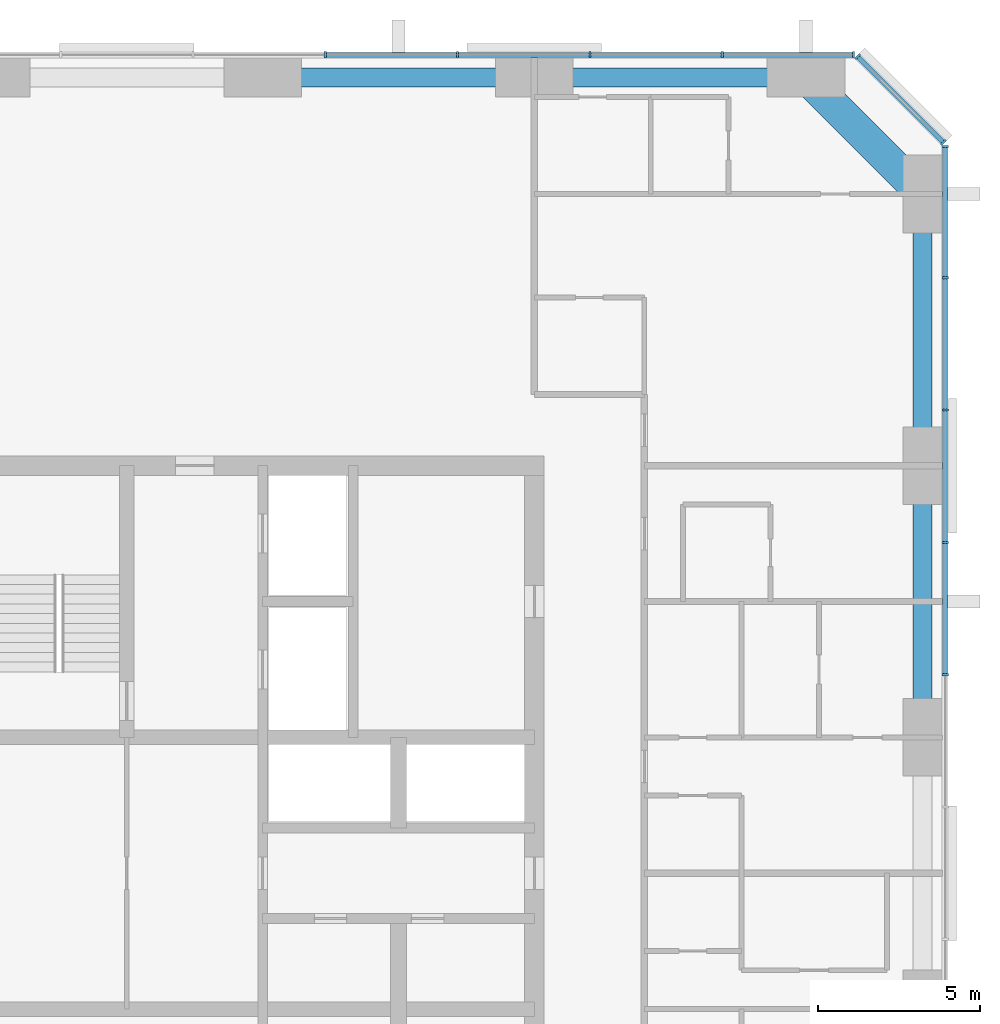
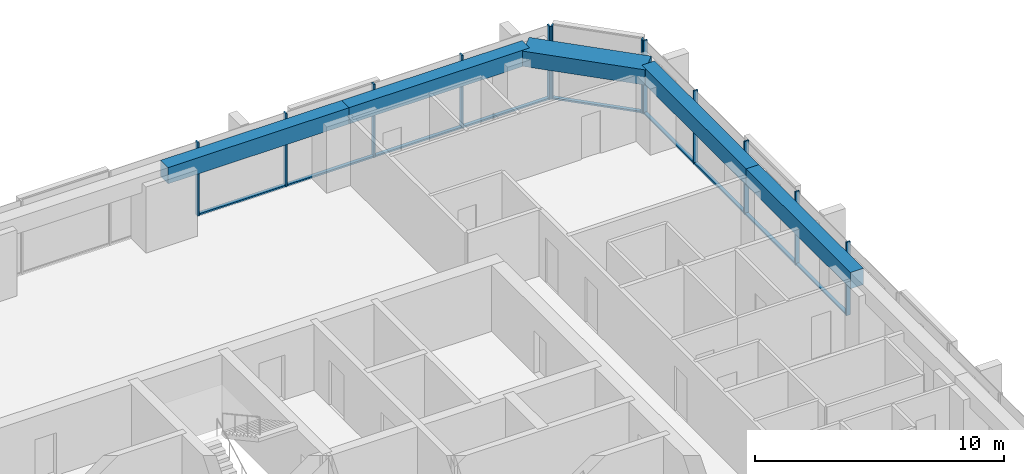
# One storey, part 6 of 13: 21 members, 5 beams, 3 elements without a shape of their own.
"""IFC4 building model written with IfcOpenShell, lengths in metres."""

from ifc_helpers import new_model, si_unit, direction, frame, origin, origin_2d, place, context, subcontext, project, spatial, rectangle, extrude, material, material_profile, profile_set, type_object, element, aggregate, save


model = new_model("IFC4")

# Units and contexts
model_context = context("Model", 3, precision=1e-05, world=origin(), true_north=direction((0.0, 1.0)))
body_context = subcontext(model_context, "Body", "Model", "MODEL_VIEW")
ifc_project = project(units=[si_unit("LENGTHUNIT", "METRE"), si_unit("AREAUNIT", "SQUARE_METRE"), si_unit("VOLUMEUNIT", "CUBIC_METRE"), si_unit("PLANEANGLEUNIT", "RADIAN"), si_unit("MASSUNIT", "GRAM", prefix="KILO")], contexts=[model_context])

# Site, building, storey
site_placement = place(None, origin())
site = spatial("IfcSite", under=ifc_project, at=site_placement, CompositionType="ELEMENT")
building_placement = place(site_placement, origin())
building = spatial("IfcBuilding", under=site, at=building_placement, Name="Dunama Terrace Hotel", CompositionType="ELEMENT")
storey_placement = place(building_placement, frame((0.0, 0.0, 191.39990234375)))
storey = spatial("IfcBuildingStorey", under=building, at=storey_placement, Name="L49", CompositionType="ELEMENT", Elevation=191.39990234375)

# Curtain wall, members
ifc_material_1 = material(Name="Aluminium curtain wall system", Category="aluminium")
curtain_wall_type = type_object("IfcCurtainWallType", Name="Unitised fritted glass wall CW-C", PredefinedType="NOTDEFINED", material=ifc_material_1)
curtain_wall_1_placement = place(storey_placement, origin())
curtain_wall_1 = element("IfcCurtainWall", 1, at=curtain_wall_1_placement, inside=storey, type_object=curtain_wall_type, Name="Unitised fritted glass wall CW-C L49", PredefinedType="NOTDEFINED")
ifc_material_2 = material(Name="Aluminium mullion", Category="aluminium")
ifc_material_profile_1 = material_profile(ifc_material_2, rectangle(XDim=0.070068359375, YDim=0.199951171875, at=origin_2d()), Name="CWC MULLION 70X200")
ifc_profile_set_1 = profile_set([ifc_material_profile_1], Name="Aluminium mullion")
member_type_1 = type_object("IfcMemberType", Name="CWC mullion 70x200", PredefinedType="MULLION", material=ifc_profile_set_1)
member_1_placement = place(storey_placement, frame((54.699951171875, 35.535888671875, 0.0), z_axis=(0.0, 0.0, 1.0), x_axis=(0.0, 1.0, 0.0)))
member_1 = element("IfcMember", 2, at=member_1_placement, type_object=member_type_1, Name="CWC mullion", PredefinedType="MULLION", context=body_context, shape_type="SweptSolid", body=[
    extrude(rectangle(XDim=0.070068359375, YDim=0.199951171875, at=origin_2d()), origin(), (0.0, 0.0, 1.0), 3.60009765625),
])
member_2_placement = place(storey_placement, frame((54.699951171875, 39.626953125, 0.0), z_axis=(0.0, 0.0, 1.0), x_axis=(0.0, 1.0, 0.0)))
member_2 = element("IfcMember", 3, at=member_2_placement, type_object=member_type_1, Name="CWC mullion", PredefinedType="MULLION", context=body_context, shape_type="SweptSolid", body=[
    extrude(rectangle(XDim=0.070068359375, YDim=0.199951171875, at=origin_2d()), origin(), (0.0, 0.0, 1.0), 3.60009765625),
])
member_3_placement = place(storey_placement, frame((54.699951171875, 43.718017578125, 0.0), z_axis=(0.0, 0.0, 1.0), x_axis=(0.0, 1.0, 0.0)))
member_3 = element("IfcMember", 4, at=member_3_placement, type_object=member_type_1, Name="CWC mullion", PredefinedType="MULLION", context=body_context, shape_type="SweptSolid", body=[
    extrude(rectangle(XDim=0.070068359375, YDim=0.199951171875, at=origin_2d()), origin(), (0.0, 0.0, 1.0), 3.60009765625),
])
member_4_placement = place(storey_placement, frame((54.699951171875, 47.80908203125, 0.0), z_axis=(0.0, 0.0, 1.0), x_axis=(0.0, 1.0, 0.0)))
member_4 = element("IfcMember", 5, at=member_4_placement, type_object=member_type_1, Name="CWC mullion", PredefinedType="MULLION", context=body_context, shape_type="SweptSolid", body=[
    extrude(rectangle(XDim=0.070068359375, YDim=0.199951171875, at=origin_2d()), origin(), (0.0, 0.0, 1.0), 3.60009765625),
])
member_5_placement = place(storey_placement, frame((54.699951171875, 51.864990234375, 0.0), z_axis=(0.0, 0.0, 1.0), x_axis=(0.0, 1.0, 0.0)))
member_5 = element("IfcMember", 6, at=member_5_placement, type_object=member_type_1, Name="CWC mullion", PredefinedType="MULLION", context=body_context, shape_type="SweptSolid", body=[
    extrude(rectangle(XDim=0.070068359375, YDim=0.199951171875, at=origin_2d()), origin(), (0.0, 0.0, 1.0), 3.60009765625),
])

curtain_wall_2_placement = place(storey_placement, origin())
curtain_wall_2 = element("IfcCurtainWall", 7, at=curtain_wall_2_placement, inside=storey, type_object=curtain_wall_type, Name="Unitised fritted glass wall CW-C L49", PredefinedType="NOTDEFINED")
member_6_placement = place(storey_placement, frame((54.64599609375, 51.9951171875, 0.0), z_axis=(0.0, 0.0, 1.0), x_axis=(-0.707106781187, 0.707106781187, 0.0)))
member_6 = element("IfcMember", 8, at=member_6_placement, type_object=member_type_1, Name="CWC mullion", PredefinedType="MULLION", context=body_context, shape_type="SweptSolid", body=[
    extrude(rectangle(XDim=0.070068359375, YDim=0.199951171875, at=origin_2d()), origin(), (0.0, 0.0, 1.0), 3.60009765625),
])
member_7_placement = place(storey_placement, frame((51.9951171875, 54.64599609375, 0.0), z_axis=(0.0, 0.0, 1.0), x_axis=(-0.707106781187, 0.707106781187, 0.0)))
member_7 = element("IfcMember", 9, at=member_7_placement, type_object=member_type_1, Name="CWC mullion", PredefinedType="MULLION", context=body_context, shape_type="SweptSolid", body=[
    extrude(rectangle(XDim=0.070068359375, YDim=0.199951171875, at=origin_2d()), origin(), (0.0, 0.0, 1.0), 3.60009765625),
])

curtain_wall_3_placement = place(storey_placement, origin())
curtain_wall_3 = element("IfcCurtainWall", 10, at=curtain_wall_3_placement, inside=storey, type_object=curtain_wall_type, Name="Unitised fritted glass wall CW-C L49", PredefinedType="NOTDEFINED")
member_8_placement = place(storey_placement, frame((51.864990234375, 54.699951171875, 0.0), z_axis=(0.0, 0.0, 1.0), x_axis=(-1.0, 0.0, 0.0)))
member_8 = element("IfcMember", 11, at=member_8_placement, type_object=member_type_1, Name="CWC mullion", PredefinedType="MULLION", context=body_context, shape_type="SweptSolid", body=[
    extrude(rectangle(XDim=0.070068359375, YDim=0.199951171875, at=origin_2d()), origin(), (0.0, 0.0, 1.0), 3.60009765625),
])
member_9_placement = place(storey_placement, frame((47.80908203125, 54.699951171875, 0.0), z_axis=(0.0, 0.0, 1.0), x_axis=(-1.0, 0.0, 0.0)))
member_9 = element("IfcMember", 12, at=member_9_placement, type_object=member_type_1, Name="CWC mullion", PredefinedType="MULLION", context=body_context, shape_type="SweptSolid", body=[
    extrude(rectangle(XDim=0.070068359375, YDim=0.199951171875, at=origin_2d()), origin(), (0.0, 0.0, 1.0), 3.60009765625),
])
member_10_placement = place(storey_placement, frame((43.718017578125, 54.699951171875, 0.0), z_axis=(0.0, 0.0, 1.0), x_axis=(-1.0, 0.0, 0.0)))
member_10 = element("IfcMember", 13, at=member_10_placement, type_object=member_type_1, Name="CWC mullion", PredefinedType="MULLION", context=body_context, shape_type="SweptSolid", body=[
    extrude(rectangle(XDim=0.070068359375, YDim=0.199951171875, at=origin_2d()), origin(), (0.0, 0.0, 1.0), 3.60009765625),
])
member_11_placement = place(storey_placement, frame((39.626953125, 54.699951171875, 0.0), z_axis=(0.0, 0.0, 1.0), x_axis=(-1.0, 0.0, 0.0)))
member_11 = element("IfcMember", 14, at=member_11_placement, type_object=member_type_1, Name="CWC mullion", PredefinedType="MULLION", context=body_context, shape_type="SweptSolid", body=[
    extrude(rectangle(XDim=0.070068359375, YDim=0.199951171875, at=origin_2d()), origin(), (0.0, 0.0, 1.0), 3.60009765625),
])
member_12_placement = place(storey_placement, frame((35.535888671875, 54.699951171875, 0.0), z_axis=(0.0, 0.0, 1.0), x_axis=(-1.0, 0.0, 0.0)))
member_12 = element("IfcMember", 15, at=member_12_placement, type_object=member_type_1, Name="CWC mullion", PredefinedType="MULLION", context=body_context, shape_type="SweptSolid", body=[
    extrude(rectangle(XDim=0.070068359375, YDim=0.199951171875, at=origin_2d()), origin(), (0.0, 0.0, 1.0), 3.60009765625),
])

# Member
ifc_material_3 = material(Name="Aluminium transom", Category="aluminium")
ifc_material_profile_2 = material_profile(ifc_material_3, rectangle(XDim=0.159912109375, YDim=0.080078125, at=origin_2d()), Name="CWC TRANSOM 160X80")
ifc_profile_set_2 = profile_set([ifc_material_profile_2], Name="Aluminium transom")
member_type_2 = type_object("IfcMemberType", Name="CWC transom 160x80", PredefinedType="USERDEFINED", material=ifc_profile_set_2)
member_13_placement = place(storey_placement, frame((54.699951171875, 35.571044921875, 0.0400390625), z_axis=(0.0, 1.0, 0.0), x_axis=(-1.0, 0.0, 0.0)))
member_13 = element("IfcMember", 16, at=member_13_placement, type_object=member_type_2, Name="CWC transom", ObjectType="TRANSOM", PredefinedType="USERDEFINED", context=body_context, shape_type="SweptSolid", body=[
    extrude(rectangle(XDim=0.159912109375, YDim=0.080078125, at=origin_2d()), origin(), (0.0, 0.0, 1.0), 4.02099609375),
])

member_14_placement = place(storey_placement, frame((54.699951171875, 39.662109375, 0.0400390625), z_axis=(0.0, 1.0, 0.0), x_axis=(-1.0, 0.0, 0.0)))
member_14 = element("IfcMember", 17, at=member_14_placement, type_object=member_type_2, Name="CWC transom", ObjectType="TRANSOM", PredefinedType="USERDEFINED", context=body_context, shape_type="SweptSolid", body=[
    extrude(rectangle(XDim=0.159912109375, YDim=0.080078125, at=origin_2d()), origin(), (0.0, 0.0, 1.0), 4.02099609375),
])

member_15_placement = place(storey_placement, frame((54.699951171875, 43.7529296875, 0.0400390625), z_axis=(0.0, 1.0, 0.0), x_axis=(-1.0, 0.0, 0.0)))
member_15 = element("IfcMember", 18, at=member_15_placement, type_object=member_type_2, Name="CWC transom", ObjectType="TRANSOM", PredefinedType="USERDEFINED", context=body_context, shape_type="SweptSolid", body=[
    extrude(rectangle(XDim=0.159912109375, YDim=0.080078125, at=origin_2d()), origin(), (0.0, 0.0, 1.0), 4.02099609375),
])

member_16_placement = place(storey_placement, frame((54.699951171875, 47.843994140625, 0.0400390625), z_axis=(0.0, 1.0, 0.0), x_axis=(-1.0, 0.0, 0.0)))
member_16 = element("IfcMember", 19, at=member_16_placement, type_object=member_type_2, Name="CWC transom", ObjectType="TRANSOM", PredefinedType="USERDEFINED", context=body_context, shape_type="SweptSolid", body=[
    extrude(rectangle(XDim=0.159912109375, YDim=0.080078125, at=origin_2d()), origin(), (0.0, 0.0, 1.0), 3.986083984375),
])

aggregate(curtain_wall_1, [member_1, member_2, member_3, member_4, member_5, member_13, member_14, member_15, member_16])

member_17_placement = place(storey_placement, frame((54.62109375, 52.02001953125, 0.0400390625), z_axis=(-0.707106781187, 0.707106781187, 0.0), x_axis=(-0.707106781187, -0.707106781187, 0.0)))
member_17 = element("IfcMember", 20, at=member_17_placement, type_object=member_type_2, Name="CWC transom", ObjectType="TRANSOM", PredefinedType="USERDEFINED", context=body_context, shape_type="SweptSolid", body=[
    extrude(rectangle(XDim=0.159912109375, YDim=0.080078125, at=origin_2d()), origin(), (0.0, 0.0, 1.0), 3.678466796875),
])

aggregate(curtain_wall_2, [member_6, member_7, member_17])

member_18_placement = place(storey_placement, frame((51.830078125, 54.699951171875, 0.0400390625), z_axis=(-1.0, 0.0, 0.0), x_axis=(0.0, -1.0, 0.0)))
member_18 = element("IfcMember", 21, at=member_18_placement, type_object=member_type_2, Name="CWC transom", ObjectType="TRANSOM", PredefinedType="USERDEFINED", context=body_context, shape_type="SweptSolid", body=[
    extrude(rectangle(XDim=0.159912109375, YDim=0.080078125, at=origin_2d()), origin(), (0.0, 0.0, 1.0), 3.986083984375),
])

member_19_placement = place(storey_placement, frame((47.77392578125, 54.699951171875, 0.0400390625), z_axis=(-1.0, 0.0, 0.0), x_axis=(0.0, -1.0, 0.0)))
member_19 = element("IfcMember", 22, at=member_19_placement, type_object=member_type_2, Name="CWC transom", ObjectType="TRANSOM", PredefinedType="USERDEFINED", context=body_context, shape_type="SweptSolid", body=[
    extrude(rectangle(XDim=0.159912109375, YDim=0.080078125, at=origin_2d()), origin(), (0.0, 0.0, 1.0), 4.02099609375),
])

member_20_placement = place(storey_placement, frame((43.68310546875, 54.699951171875, 0.0400390625), z_axis=(-1.0, 0.0, 0.0), x_axis=(0.0, -1.0, 0.0)))
member_20 = element("IfcMember", 23, at=member_20_placement, type_object=member_type_2, Name="CWC transom", ObjectType="TRANSOM", PredefinedType="USERDEFINED", context=body_context, shape_type="SweptSolid", body=[
    extrude(rectangle(XDim=0.159912109375, YDim=0.080078125, at=origin_2d()), origin(), (0.0, 0.0, 1.0), 4.02099609375),
])

member_21_placement = place(storey_placement, frame((39.592041015625, 54.699951171875, 0.0400390625), z_axis=(-1.0, 0.0, 0.0), x_axis=(0.0, -1.0, 0.0)))
member_21 = element("IfcMember", 24, at=member_21_placement, type_object=member_type_2, Name="CWC transom", ObjectType="TRANSOM", PredefinedType="USERDEFINED", context=body_context, shape_type="SweptSolid", body=[
    extrude(rectangle(XDim=0.159912109375, YDim=0.080078125, at=origin_2d()), origin(), (0.0, 0.0, 1.0), 4.02099609375),
])

aggregate(curtain_wall_3, [member_8, member_9, member_10, member_11, member_12, member_18, member_19, member_20, member_21])

# Beams
ifc_material_4 = material(Name="Concrete C50/60", Category="concrete")
ifc_material_profile_3 = material_profile(ifc_material_4, rectangle(XDim=1.0, YDim=0.75, at=origin_2d()), Name="RC 1000x750")
ifc_profile_set_3 = profile_set([ifc_material_profile_3], Name="Concrete C50/60")
beam_type_1 = type_object("IfcBeamType", Name="Edge beam RC 1000x750", PredefinedType="SPANDREL", material=ifc_profile_set_3)
beam_placement = place(storey_placement, frame((50.39990234375, 54.0, 3.22509765625), z_axis=(0.707106781187, -0.707106781187, 0.0), x_axis=(0.707106781187, 0.707106781187, 0.0)))
element("IfcBeam", 25, at=beam_placement, inside=storey, type_object=beam_type_1, Name="Corner edge beam under L50", PredefinedType="SPANDREL", context=body_context, shape_type="SweptSolid", body=[
    extrude(rectangle(XDim=1.0, YDim=0.75, at=origin_2d()), origin(), (0.0, 0.0, 1.0), 5.09130859375),
])
ifc_material_5 = material(Name="Concrete C40/50", Category="concrete")
ifc_material_profile_4 = material_profile(ifc_material_5, rectangle(XDim=0.60009765625, YDim=0.800048828125, at=origin_2d()), Name="RC 600x800")
ifc_profile_set_4 = profile_set([ifc_material_profile_4], Name="Concrete C40/50")
beam_type_2 = type_object("IfcBeamType", Name="Edge beam RC 600x800", PredefinedType="SPANDREL", material=ifc_profile_set_4)
for number, where, z_axis, x_axis, name in (
    (26, (54.0, 33.60009765625, 3.2001953125), (0.0, 1.0, 0.0), (-1.0, 0.0, 0.0), "Edge beam under L50"),
    (27, (54.0, 42.0, 3.2001953125), (0.0, 1.0, 0.0), (-1.0, 0.0, 0.0), "Edge beam under L50"),
    (28, (33.60009765625, 54.0, 3.2001953125), (1.0, 0.0, 0.0), (0.0, 1.0, 0.0), "Edge beam under L50"),
    (29, (42.0, 54.0, 3.2001953125), (1.0, 0.0, 0.0), (0.0, 1.0, 0.0), "Edge beam under L50"),
):
    element("IfcBeam", number, at=place(storey_placement, frame(where, z_axis=z_axis, x_axis=x_axis)), inside=storey, type_object=beam_type_2, Name=name, PredefinedType="SPANDREL", context=body_context, shape_type="SweptSolid", body=[
        extrude(rectangle(XDim=0.60009765625, YDim=0.800048828125, at=origin_2d()), origin(), (0.0, 0.0, 1.0), 8.39990234375),
    ])

save(model, "model.ifc")
